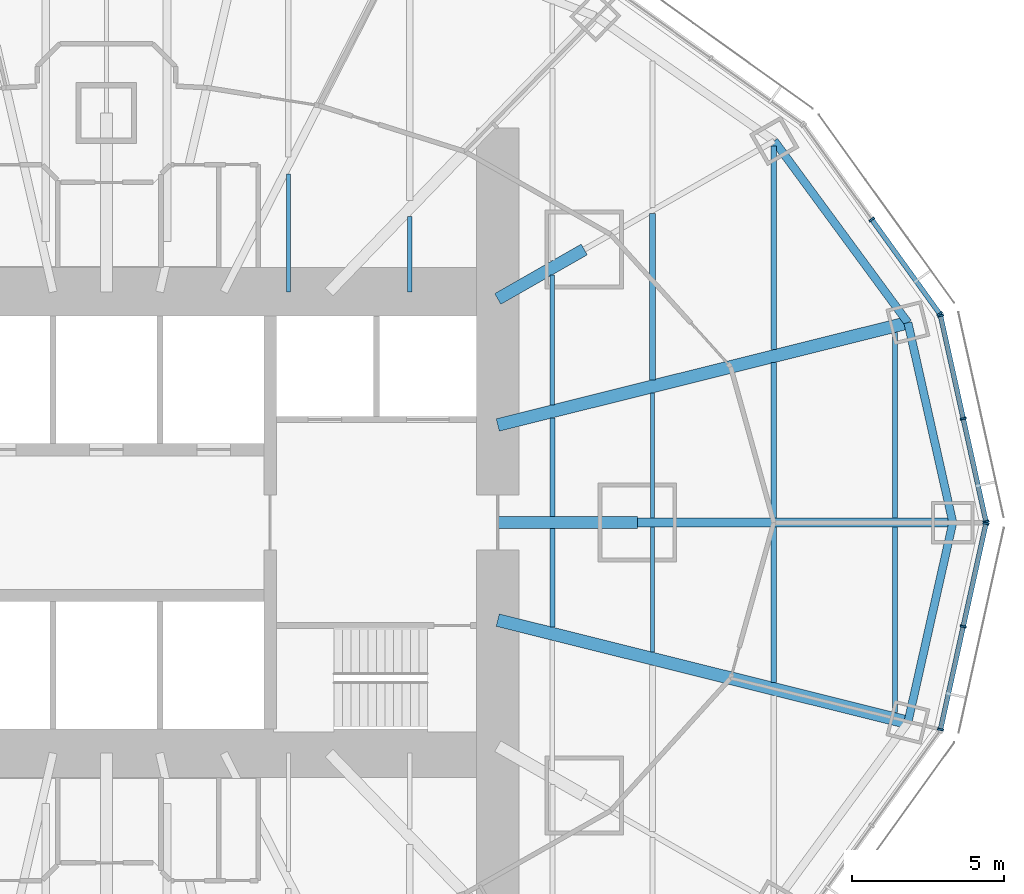
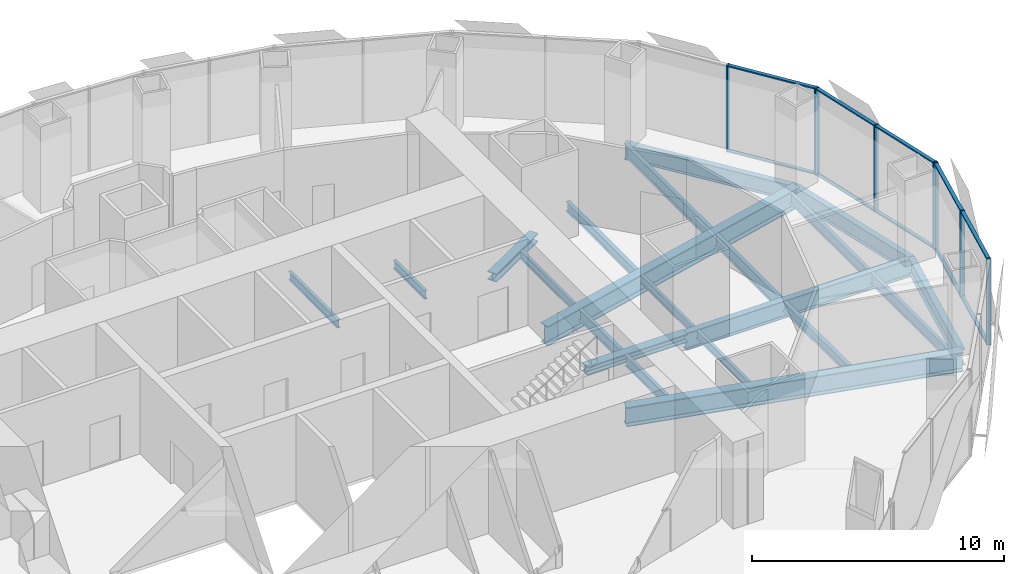
# One storey, part 6 of 18: 21 beams, 18 members, 3 elements without a shape of their own.
"""IFC4 building model written with IfcOpenShell, lengths in metres."""

from ifc_helpers import new_model, si_unit, direction, frame, origin, origin_2d, place, context, subcontext, project, spatial, rectangle, i_section, extrude, material, material_profile, profile_set, type_object, element, aggregate, save


model = new_model("IFC4")

# Units and contexts
model_context = context("Model", 3, precision=1e-05, world=origin(), true_north=direction((0.0, 1.0)))
body_context = subcontext(model_context, "Body", "Model", "MODEL_VIEW")
ifc_project = project(units=[si_unit("LENGTHUNIT", "METRE"), si_unit("AREAUNIT", "SQUARE_METRE"), si_unit("VOLUMEUNIT", "CUBIC_METRE"), si_unit("PLANEANGLEUNIT", "RADIAN"), si_unit("MASSUNIT", "GRAM", prefix="KILO")], contexts=[model_context])

# Site, building, storey
site_placement = place(None, origin())
site = spatial("IfcSite", under=ifc_project, at=site_placement, CompositionType="ELEMENT")
building_placement = place(site_placement, origin())
building = spatial("IfcBuilding", under=site, at=building_placement, Name="Lantaw Convention Tower", CompositionType="ELEMENT")
storey_placement = place(building_placement, frame((0.0, 0.0, 172.0)))
storey = spatial("IfcBuildingStorey", under=building, at=storey_placement, Name="L40", CompositionType="ELEMENT", Elevation=172.0)

# Beams
ifc_material_1 = material(Name="Steel ASTM A992", Category="steel")
ifc_material_profile_1 = material_profile(ifc_material_1, i_section(OverallWidth=0.2666015625, OverallDepth=0.76953125, WebThickness=0.015625, FlangeThickness=0.025390625, FilletRadius=0.0126953125, at=origin_2d()), Name="W30X132")
ifc_profile_set_1 = profile_set([ifc_material_profile_1], Name="Steel ASTM A992")
beam_type_1 = type_object("IfcBeamType", Name="Beam E W30X132", PredefinedType="SPANDREL", material=ifc_profile_set_1)
beam_1_placement = place(storey_placement, frame((27.89990234375, 0.0, -0.534912109375), z_axis=(-0.219211877447, 0.975677279015, 0.0), x_axis=(-0.975677279015, -0.219211877447, 0.0)))
element("IfcBeam", 1, at=beam_1_placement, inside=storey, type_object=beam_type_1, Name="Edge beam 1", PredefinedType="SPANDREL", context=body_context, shape_type="SweptSolid", body=[
    extrude(i_section(OverallWidth=0.2666015625, OverallDepth=0.76953125, WebThickness=0.015625, FlangeThickness=0.025390625, FilletRadius=0.0126953125, at=origin_2d()), origin(), (0.0, 0.0, 1.0), 6.75146484375),
])
beam_2_placement = place(storey_placement, frame((26.419921875, 6.587158203125, -0.534912109375), z_axis=(-0.5923891972, 0.805651934176, 0.0), x_axis=(-0.805651934176, -0.5923891972, 0.0)))
element("IfcBeam", 2, at=beam_2_placement, inside=storey, type_object=beam_type_1, Name="Edge beam 2", PredefinedType="SPANDREL", context=body_context, shape_type="SweptSolid", body=[
    extrude(i_section(OverallWidth=0.2666015625, OverallDepth=0.76953125, WebThickness=0.015625, FlangeThickness=0.025390625, FilletRadius=0.0126953125, at=origin_2d()), origin(), (0.0, 0.0, 1.0), 7.437744140625),
])
beam_3_placement = place(storey_placement, frame((26.419921875, -6.587158203125, -0.534912109375), z_axis=(0.219211877447, 0.975677279015, 0.0), x_axis=(-0.975677279015, 0.219211877447, 0.0)))
element("IfcBeam", 3, at=beam_3_placement, inside=storey, type_object=beam_type_1, Name="Edge beam 24", PredefinedType="SPANDREL", context=body_context, shape_type="SweptSolid", body=[
    extrude(i_section(OverallWidth=0.2666015625, OverallDepth=0.76953125, WebThickness=0.015625, FlangeThickness=0.025390625, FilletRadius=0.0126953125, at=origin_2d()), origin(), (0.0, 0.0, 1.0), 6.75146484375),
])
ifc_material_profile_2 = material_profile(ifc_material_1, i_section(OverallWidth=0.2919921875, OverallDepth=0.845703125, WebThickness=0.015380859375, FlangeThickness=0.0244140625, FilletRadius=0.01513671875, at=origin_2d()), Name="W33X141")
ifc_profile_set_2 = profile_set([ifc_material_profile_2], Name="Steel ASTM A992")
beam_type_2 = type_object("IfcBeamType", Name="Beam G W33X141", PredefinedType="BEAM", material=ifc_profile_set_2)
beam_4_placement = place(storey_placement, frame((17.5, 0.0, -0.572998046875), z_axis=(1.0, 0.0, 0.0), x_axis=(0.0, 1.0, 0.0)))
element("IfcBeam", 4, at=beam_4_placement, inside=storey, type_object=beam_type_2, Name="Floor girder on ray 1", PredefinedType="BEAM", context=body_context, shape_type="SweptSolid", body=[
    extrude(i_section(OverallWidth=0.2919921875, OverallDepth=0.845703125, WebThickness=0.015380859375, FlangeThickness=0.0244140625, FilletRadius=0.01513671875, at=origin_2d()), origin(), (0.0, 0.0, 1.0), 10.39990234375),
])
ifc_material_profile_3 = material_profile(ifc_material_1, i_section(OverallWidth=0.421630859375, OverallDepth=0.937255859375, WebThickness=0.0224609375, FlangeThickness=0.039794921875, FilletRadius=0.02001953125, at=origin_2d()), Name="W36X282")
ifc_profile_set_3 = profile_set([ifc_material_profile_3], Name="Steel ASTM A992")
beam_type_3 = type_object("IfcBeamType", Name="Beam G W36X282", PredefinedType="BEAM", material=ifc_profile_set_3)
for number, where, z_axis, x_axis, name in (
    (5, (12.89990234375, 3.21630859375, -0.61865234375), (0.970296903132, 0.24191717544, 0.0), (-0.24191717544, 0.970296903132, 0.0), "Floor girder on ray 2"),
    (6, (12.89990234375, -3.21630859375, -0.61865234375), (0.970296903132, -0.24191717544, 0.0), (0.24191717544, 0.970296903132, 0.0), "Floor girder on ray 24"),
):
    element("IfcBeam", number, at=place(storey_placement, frame(where, z_axis=z_axis, x_axis=x_axis)), inside=storey, type_object=beam_type_3, Name=name, PredefinedType="BEAM", context=body_context, shape_type="SweptSolid", body=[
        extrude(i_section(OverallWidth=0.421630859375, OverallDepth=0.937255859375, WebThickness=0.0224609375, FlangeThickness=0.039794921875, FilletRadius=0.02001953125, at=origin_2d()), origin(), (0.0, 0.0, 1.0), 13.933837890625),
    ])
ifc_material_profile_4 = material_profile(ifc_material_1, i_section(OverallWidth=0.40380859375, OverallDepth=0.406494140625, WebThickness=0.027099609375, FlangeThickness=0.043701171875, FilletRadius=0.01513671875, at=origin_2d()), Name="W14X233")
ifc_profile_set_4 = profile_set([ifc_material_profile_4], Name="Steel ASTM A992")
beam_type_4 = type_object("IfcBeamType", Name="Beam GM W14X233", PredefinedType="BEAM", material=ifc_profile_set_4)
beam_5_placement = place(storey_placement, frame((12.89990234375, 0.0, -0.353271484375), z_axis=(1.0, 0.0, 0.0), x_axis=(0.0, 1.0, 0.0)))
element("IfcBeam", 7, at=beam_5_placement, inside=storey, type_object=beam_type_4, Name="Core link beam on ray 1", PredefinedType="BEAM", context=body_context, shape_type="SweptSolid", body=[
    extrude(i_section(OverallWidth=0.40380859375, OverallDepth=0.406494140625, WebThickness=0.027099609375, FlangeThickness=0.043701171875, FilletRadius=0.01513671875, at=origin_2d()), origin(), (0.0, 0.0, 1.0), 4.60009765625),
])
beam_6_placement = place(storey_placement, frame((12.89990234375, 7.371337890625, -0.353271484375), z_axis=(0.868238565244, 0.496146947811, 0.0), x_axis=(-0.496146947811, 0.868238565244, 0.0)))
element("IfcBeam", 8, at=beam_6_placement, inside=storey, type_object=beam_type_4, Name="Core link beam on ray 3", PredefinedType="BEAM", context=body_context, shape_type="SweptSolid", body=[
    extrude(i_section(OverallWidth=0.40380859375, OverallDepth=0.406494140625, WebThickness=0.027099609375, FlangeThickness=0.043701171875, FilletRadius=0.01513671875, at=origin_2d()), origin(), (0.0, 0.0, 1.0), 3.28271484375),
])
ifc_material_profile_5 = material_profile(ifc_material_1, i_section(OverallWidth=0.140380859375, OverallDepth=0.40380859375, WebThickness=0.007080078125, FlangeThickness=0.01123046875, FilletRadius=0.01025390625, at=origin_2d()), Name="W16X31")
ifc_profile_set_5 = profile_set([ifc_material_profile_5], Name="Steel ASTM A992")
beam_type_5 = type_object("IfcBeamType", Name="Beam J W16X31", PredefinedType="JOIST", material=ifc_profile_set_5)
beam_7_placement = place(storey_placement, frame((6.0, 7.60009765625, -0.35205078125), z_axis=(0.0, 1.0, 0.0), x_axis=(-1.0, 0.0, 0.0)))
element("IfcBeam", 9, at=beam_7_placement, inside=storey, type_object=beam_type_5, Name="Floor joist", PredefinedType="JOIST", context=body_context, shape_type="SweptSolid", body=[
    extrude(i_section(OverallWidth=0.140380859375, OverallDepth=0.40380859375, WebThickness=0.007080078125, FlangeThickness=0.01123046875, FilletRadius=0.01025390625, at=origin_2d()), origin(), (0.0, 0.0, 1.0), 3.895751953125),
])
beam_8_placement = place(storey_placement, frame((10.0, 7.60009765625, -0.35205078125), z_axis=(0.0, 1.0, 0.0), x_axis=(-1.0, 0.0, 0.0)))
element("IfcBeam", 10, at=beam_8_placement, inside=storey, type_object=beam_type_5, Name="Floor joist", PredefinedType="JOIST", context=body_context, shape_type="SweptSolid", body=[
    extrude(i_section(OverallWidth=0.140380859375, OverallDepth=0.40380859375, WebThickness=0.007080078125, FlangeThickness=0.01123046875, FilletRadius=0.01025390625, at=origin_2d()), origin(), (0.0, 0.0, 1.0), 2.49560546875),
])
beam_9_placement = place(storey_placement, frame((14.699951171875, 3.88232421875, -0.35205078125), z_axis=(0.0, 1.0, 0.0), x_axis=(-1.0, 0.0, 0.0)))
element("IfcBeam", 11, at=beam_9_placement, inside=storey, type_object=beam_type_5, Name="Floor joist", PredefinedType="JOIST", context=body_context, shape_type="SweptSolid", body=[
    extrude(i_section(OverallWidth=0.140380859375, OverallDepth=0.40380859375, WebThickness=0.007080078125, FlangeThickness=0.01123046875, FilletRadius=0.01025390625, at=origin_2d()), origin(), (0.0, 0.0, 1.0), 4.28515625),
])
for number, where, z_axis, x_axis, name in (
    (12, (18.0, -4.270751953125, -0.35205078125), (0.0, 1.0, 0.0), (-1.0, 0.0, 0.0), "Floor joist"),
    (13, (18.0, 0.14599609375, -0.35205078125), (0.0, 1.0, 0.0), (-1.0, 0.0, 0.0), "Floor joist"),
):
    element("IfcBeam", number, at=place(storey_placement, frame(where, z_axis=z_axis, x_axis=x_axis)), inside=storey, type_object=beam_type_5, Name=name, PredefinedType="JOIST", context=body_context, shape_type="SweptSolid", body=[
        extrude(i_section(OverallWidth=0.140380859375, OverallDepth=0.40380859375, WebThickness=0.007080078125, FlangeThickness=0.01123046875, FilletRadius=0.01025390625, at=origin_2d()), origin(), (0.0, 0.0, 1.0), 4.124755859375),
    ])
ifc_material_profile_6 = material_profile(ifc_material_1, i_section(OverallWidth=0.1904296875, OverallDepth=0.457275390625, WebThickness=0.009033203125, FlangeThickness=0.014404296875, FilletRadius=0.01025390625, at=origin_2d()), Name="W18X50")
ifc_profile_set_6 = profile_set([ifc_material_profile_6], Name="Steel ASTM A992")
beam_type_6 = type_object("IfcBeamType", Name="Beam J W18X50", PredefinedType="JOIST", material=ifc_profile_set_6)
beam_10_placement = place(storey_placement, frame((18.0, 4.705078125, -0.378662109375), z_axis=(0.0, 1.0, 0.0), x_axis=(-1.0, 0.0, 0.0)))
element("IfcBeam", 14, at=beam_10_placement, inside=storey, type_object=beam_type_6, Name="Floor joist", PredefinedType="JOIST", context=body_context, shape_type="SweptSolid", body=[
    extrude(i_section(OverallWidth=0.1904296875, OverallDepth=0.457275390625, WebThickness=0.009033203125, FlangeThickness=0.014404296875, FilletRadius=0.01025390625, at=origin_2d()), origin(), (0.0, 0.0, 1.0), 5.47802734375),
])
beam_11_placement = place(storey_placement, frame((22.0, -5.267822265625, -0.378662109375), z_axis=(0.0, 1.0, 0.0), x_axis=(-1.0, 0.0, 0.0)))
element("IfcBeam", 15, at=beam_11_placement, inside=storey, type_object=beam_type_6, Name="Floor joist", PredefinedType="JOIST", context=body_context, shape_type="SweptSolid", body=[
    extrude(i_section(OverallWidth=0.1904296875, OverallDepth=0.457275390625, WebThickness=0.009033203125, FlangeThickness=0.014404296875, FilletRadius=0.01025390625, at=origin_2d()), origin(), (0.0, 0.0, 1.0), 5.121826171875),
])
ifc_material_profile_7 = material_profile(ifc_material_1, i_section(OverallWidth=0.1650390625, OverallDepth=0.52587890625, WebThickness=0.0087890625, FlangeThickness=0.011474609375, FilletRadius=0.0126953125, at=origin_2d()), Name="W21X44")
ifc_profile_set_7 = profile_set([ifc_material_profile_7], Name="Steel ASTM A992")
beam_type_7 = type_object("IfcBeamType", Name="Beam J W21X44", PredefinedType="JOIST", material=ifc_profile_set_7)
for number, where, z_axis, x_axis, name in (
    (16, (26.0, -6.26513671875, -0.412841796875), (0.0, 1.0, 0.0), (-1.0, 0.0, 0.0), "Floor joist"),
    (17, (26.0, 0.14599609375, -0.412841796875), (0.0, 1.0, 0.0), (-1.0, 0.0, 0.0), "Floor joist"),
):
    element("IfcBeam", number, at=place(storey_placement, frame(where, z_axis=z_axis, x_axis=x_axis)), inside=storey, type_object=beam_type_7, Name=name, PredefinedType="JOIST", context=body_context, shape_type="SweptSolid", body=[
        extrude(i_section(OverallWidth=0.1650390625, OverallDepth=0.52587890625, WebThickness=0.0087890625, FlangeThickness=0.011474609375, FilletRadius=0.0126953125, at=origin_2d()), origin(), (0.0, 0.0, 1.0), 6.119140625),
    ])
ifc_material_profile_8 = material_profile(ifc_material_1, i_section(OverallWidth=0.165771484375, OverallDepth=0.5283203125, WebThickness=0.009765625, FlangeThickness=0.013671875, FilletRadius=0.012939453125, at=origin_2d()), Name="W21X50")
ifc_profile_set_8 = profile_set([ifc_material_profile_8], Name="Steel ASTM A992")
beam_type_8 = type_object("IfcBeamType", Name="Beam J W21X50", PredefinedType="JOIST", material=ifc_profile_set_8)
for number, where, z_axis, x_axis, name in (
    (18, (14.699951171875, -3.44775390625, -0.4140625), (0.0, 1.0, 0.0), (-1.0, 0.0, 0.0), "Floor joist"),
    (19, (14.699951171875, 0.201904296875, -0.4140625), (0.0, 1.0, 0.0), (-1.0, 0.0, 0.0), "Floor joist"),
):
    element("IfcBeam", number, at=place(storey_placement, frame(where, z_axis=z_axis, x_axis=x_axis)), inside=storey, type_object=beam_type_8, Name=name, PredefinedType="JOIST", context=body_context, shape_type="SweptSolid", body=[
        extrude(i_section(OverallWidth=0.165771484375, OverallDepth=0.5283203125, WebThickness=0.009765625, FlangeThickness=0.013671875, FilletRadius=0.012939453125, at=origin_2d()), origin(), (0.0, 0.0, 1.0), 3.245849609375),
    ])
ifc_material_profile_9 = material_profile(ifc_material_1, i_section(OverallWidth=0.177978515625, OverallDepth=0.599365234375, WebThickness=0.010009765625, FlangeThickness=0.012939453125, FilletRadius=0.012939453125, at=origin_2d()), Name="W24X55")
ifc_profile_set_9 = profile_set([ifc_material_profile_9], Name="Steel ASTM A992")
beam_type_9 = type_object("IfcBeamType", Name="Beam J W24X55", PredefinedType="JOIST", material=ifc_profile_set_9)
beam_12_placement = place(storey_placement, frame((22.0, 0.14599609375, -0.44970703125), z_axis=(0.0, 1.0, 0.0), x_axis=(-1.0, 0.0, 0.0)))
element("IfcBeam", 20, at=beam_12_placement, inside=storey, type_object=beam_type_9, Name="Floor joist", PredefinedType="JOIST", context=body_context, shape_type="SweptSolid", body=[
    extrude(i_section(OverallWidth=0.177978515625, OverallDepth=0.599365234375, WebThickness=0.010009765625, FlangeThickness=0.012939453125, FilletRadius=0.012939453125, at=origin_2d()), origin(), (0.0, 0.0, 1.0), 5.121826171875),
])
beam_13_placement = place(storey_placement, frame((22.0, 5.702392578125, -0.44970703125), z_axis=(0.0, 1.0, 0.0), x_axis=(-1.0, 0.0, 0.0)))
element("IfcBeam", 21, at=beam_13_placement, inside=storey, type_object=beam_type_9, Name="Floor joist", PredefinedType="JOIST", context=body_context, shape_type="SweptSolid", body=[
    extrude(i_section(OverallWidth=0.177978515625, OverallDepth=0.599365234375, WebThickness=0.010009765625, FlangeThickness=0.012939453125, FilletRadius=0.012939453125, at=origin_2d()), origin(), (0.0, 0.0, 1.0), 6.70654296875),
])

# Curtain wall, members
ifc_material_2 = material(Name="Aluminium framed curtain wall", Category="aluminium")
curtain_wall_type = type_object("IfcCurtainWallType", Name="Office curtain wall low rise, pale aluminium", PredefinedType="USERDEFINED", material=ifc_material_2)
curtain_wall_1_placement = place(storey_placement, origin())
curtain_wall_1 = element("IfcCurtainWall", 22, at=curtain_wall_1_placement, inside=storey, type_object=curtain_wall_type, Name="Office curtain wall low rise, pale aluminium L40", ObjectType="UNITISED CURTAIN WALL", PredefinedType="USERDEFINED")
ifc_material_3 = material(Name="Aluminium 6063-T6", Category="aluminium")
ifc_material_profile_10 = material_profile(ifc_material_3, rectangle(XDim=0.199951171875, YDim=0.06494140625, at=origin_2d()), Name="CW-O1 mullion 65x200")
ifc_profile_set_10 = profile_set([ifc_material_profile_10], Name="Aluminium 6063-T6")
member_type_1 = type_object("IfcMemberType", Name="CW-O1 mullion 65x200", PredefinedType="MULLION", material=ifc_profile_set_10)
member_1_placement = place(storey_placement, frame((28.992919921875, 0.03173828125, -0.14990234375), z_axis=(0.0, 0.0, 1.0), x_axis=(-0.9764936509, -0.215546166174, 0.0)))
member_1 = element("IfcMember", 23, at=member_1_placement, type_object=member_type_1, Name="CW-O1 mullion 1", PredefinedType="MULLION", context=body_context, shape_type="SweptSolid", body=[
    extrude(rectangle(XDim=0.199951171875, YDim=0.06494140625, at=origin_2d()), origin(), (0.0, 0.0, 1.0), 4.199951171875),
])
member_2_placement = place(storey_placement, frame((28.24365234375, 3.4267578125, -0.14990234375), z_axis=(0.0, 0.0, 1.0), x_axis=(-0.9764936509, -0.215546166174, 0.0)))
member_2 = element("IfcMember", 24, at=member_2_placement, type_object=member_type_1, Name="CW-O1 mullion 2", PredefinedType="MULLION", context=body_context, shape_type="SweptSolid", body=[
    extrude(rectangle(XDim=0.199951171875, YDim=0.06494140625, at=origin_2d()), origin(), (0.0, 0.0, 1.0), 4.199951171875),
])
member_3_placement = place(storey_placement, frame((27.494140625, 6.821533203125, -0.14990234375), z_axis=(0.0, 0.0, 1.0), x_axis=(-0.9764936509, -0.215546166174, 0.0)))
member_3 = element("IfcMember", 25, at=member_3_placement, type_object=member_type_1, Name="CW-O1 mullion 3", PredefinedType="MULLION", context=body_context, shape_type="SweptSolid", body=[
    extrude(rectangle(XDim=0.199951171875, YDim=0.06494140625, at=origin_2d()), origin(), (0.0, 0.0, 1.0), 4.199951171875),
])

curtain_wall_2_placement = place(storey_placement, origin())
curtain_wall_2 = element("IfcCurtainWall", 26, at=curtain_wall_2_placement, inside=storey, type_object=curtain_wall_type, Name="Office curtain wall low rise, pale aluminium L40", ObjectType="UNITISED CURTAIN WALL", PredefinedType="USERDEFINED")
member_4_placement = place(storey_placement, frame((27.46826171875, 6.879638671875, -0.14990234375), z_axis=(0.0, 0.0, 1.0), x_axis=(-0.811384633629, -0.584512597221, 0.0)))
member_4 = element("IfcMember", 27, at=member_4_placement, type_object=member_type_1, Name="CW-O1 mullion 1", PredefinedType="MULLION", context=body_context, shape_type="SweptSolid", body=[
    extrude(rectangle(XDim=0.199951171875, YDim=0.06494140625, at=origin_2d()), origin(), (0.0, 0.0, 1.0), 4.199951171875),
])
member_5_placement = place(storey_placement, frame((25.22802734375, 9.9892578125, -0.14990234375), z_axis=(0.0, 0.0, 1.0), x_axis=(-0.811384633629, -0.584512597221, 0.0)))
member_5 = element("IfcMember", 28, at=member_5_placement, type_object=member_type_1, Name="CW-O1 mullion 2", PredefinedType="MULLION", context=body_context, shape_type="SweptSolid", body=[
    extrude(rectangle(XDim=0.199951171875, YDim=0.06494140625, at=origin_2d()), origin(), (0.0, 0.0, 1.0), 4.199951171875),
])

curtain_wall_3_placement = place(storey_placement, origin())
curtain_wall_3 = element("IfcCurtainWall", 29, at=curtain_wall_3_placement, inside=storey, type_object=curtain_wall_type, Name="Office curtain wall low rise, pale aluminium L40", ObjectType="UNITISED CURTAIN WALL", PredefinedType="USERDEFINED")
member_6_placement = place(storey_placement, frame((27.494140625, -6.821533203125, -0.14990234375), z_axis=(0.0, 0.0, 1.0), x_axis=(-0.9764936509, 0.215546166174, 0.0)))
member_6 = element("IfcMember", 30, at=member_6_placement, type_object=member_type_1, Name="CW-O1 mullion 1", PredefinedType="MULLION", context=body_context, shape_type="SweptSolid", body=[
    extrude(rectangle(XDim=0.199951171875, YDim=0.06494140625, at=origin_2d()), origin(), (0.0, 0.0, 1.0), 4.199951171875),
])
member_7_placement = place(storey_placement, frame((28.24365234375, -3.4267578125, -0.14990234375), z_axis=(0.0, 0.0, 1.0), x_axis=(-0.9764936509, 0.215546166174, 0.0)))
member_7 = element("IfcMember", 31, at=member_7_placement, type_object=member_type_1, Name="CW-O1 mullion 2", PredefinedType="MULLION", context=body_context, shape_type="SweptSolid", body=[
    extrude(rectangle(XDim=0.199951171875, YDim=0.06494140625, at=origin_2d()), origin(), (0.0, 0.0, 1.0), 4.199951171875),
])
member_8_placement = place(storey_placement, frame((28.992919921875, -0.03173828125, -0.14990234375), z_axis=(0.0, 0.0, 1.0), x_axis=(-0.9764936509, 0.215546166174, 0.0)))
member_8 = element("IfcMember", 32, at=member_8_placement, type_object=member_type_1, Name="CW-O1 mullion 3", PredefinedType="MULLION", context=body_context, shape_type="SweptSolid", body=[
    extrude(rectangle(XDim=0.199951171875, YDim=0.06494140625, at=origin_2d()), origin(), (0.0, 0.0, 1.0), 4.199951171875),
])

# Member
ifc_material_profile_11 = material_profile(ifc_material_3, rectangle(XDim=0.159912109375, YDim=0.06494140625, at=origin_2d()), Name="CW-O1 transom 65x160")
ifc_profile_set_11 = profile_set([ifc_material_profile_11], Name="Aluminium 6063-T6")
member_type_2 = type_object("IfcMemberType", Name="CW-O1 transom 65x160", PredefinedType="USERDEFINED", material=ifc_profile_set_11)
member_9_placement = place(storey_placement, frame((28.986083984375, 0.0634765625, -0.117431640625), z_axis=(-0.215536096386, 0.976495873598, 0.0), x_axis=(-0.976495873598, -0.215536096386, 0.0)))
member_9 = element("IfcMember", 33, at=member_9_placement, type_object=member_type_2, Name="CW-O1 transom 1.1", ObjectType="TRANSOM", PredefinedType="USERDEFINED", context=body_context, shape_type="SweptSolid", body=[
    extrude(rectangle(XDim=0.159912109375, YDim=0.06494140625, at=origin_2d()), origin(), (0.0, 0.0, 1.0), 3.41162109375),
])

member_10_placement = place(storey_placement, frame((28.986083984375, 0.0634765625, 4.017578125), z_axis=(-0.215536096386, 0.976495873598, 0.0), x_axis=(-0.976495873598, -0.215536096386, 0.0)))
member_10 = element("IfcMember", 34, at=member_10_placement, type_object=member_type_2, Name="CW-O1 transom 1.2", ObjectType="TRANSOM", PredefinedType="USERDEFINED", context=body_context, shape_type="SweptSolid", body=[
    extrude(rectangle(XDim=0.159912109375, YDim=0.06494140625, at=origin_2d()), origin(), (0.0, 0.0, 1.0), 3.41162109375),
])

member_11_placement = place(storey_placement, frame((28.236572265625, 3.45849609375, -0.117431640625), z_axis=(-0.21555115847, 0.976492548913, 0.0), x_axis=(-0.976492548913, -0.21555115847, 0.0)))
member_11 = element("IfcMember", 35, at=member_11_placement, type_object=member_type_2, Name="CW-O1 transom 2.1", ObjectType="TRANSOM", PredefinedType="USERDEFINED", context=body_context, shape_type="SweptSolid", body=[
    extrude(rectangle(XDim=0.159912109375, YDim=0.06494140625, at=origin_2d()), origin(), (0.0, 0.0, 1.0), 3.411376953125),
])

member_12_placement = place(storey_placement, frame((28.236572265625, 3.45849609375, 4.017578125), z_axis=(-0.21555115847, 0.976492548913, 0.0), x_axis=(-0.976492548913, -0.21555115847, 0.0)))
member_12 = element("IfcMember", 36, at=member_12_placement, type_object=member_type_2, Name="CW-O1 transom 2.2", ObjectType="TRANSOM", PredefinedType="USERDEFINED", context=body_context, shape_type="SweptSolid", body=[
    extrude(rectangle(XDim=0.159912109375, YDim=0.06494140625, at=origin_2d()), origin(), (0.0, 0.0, 1.0), 3.411376953125),
])

aggregate(curtain_wall_1, [member_1, member_2, member_3, member_9, member_10, member_11, member_12])

member_13_placement = place(storey_placement, frame((27.44921875, 6.906005859375, -0.117431640625), z_axis=(-0.584512973979, 0.811384362217, 0.0), x_axis=(-0.811384362217, -0.584512973979, 0.0)))
member_13 = element("IfcMember", 37, at=member_13_placement, type_object=member_type_2, Name="CW-O1 transom 1.1", ObjectType="TRANSOM", PredefinedType="USERDEFINED", context=body_context, shape_type="SweptSolid", body=[
    extrude(rectangle(XDim=0.159912109375, YDim=0.06494140625, at=origin_2d()), origin(), (0.0, 0.0, 1.0), 3.767578125),
])

member_14_placement = place(storey_placement, frame((27.44921875, 6.906005859375, 4.017578125), z_axis=(-0.584512973979, 0.811384362217, 0.0), x_axis=(-0.811384362217, -0.584512973979, 0.0)))
member_14 = element("IfcMember", 38, at=member_14_placement, type_object=member_type_2, Name="CW-O1 transom 1.2", ObjectType="TRANSOM", PredefinedType="USERDEFINED", context=body_context, shape_type="SweptSolid", body=[
    extrude(rectangle(XDim=0.159912109375, YDim=0.06494140625, at=origin_2d()), origin(), (0.0, 0.0, 1.0), 3.767578125),
])

aggregate(curtain_wall_2, [member_4, member_5, member_13, member_14])

member_15_placement = place(storey_placement, frame((27.501220703125, -6.789794921875, -0.117431640625), z_axis=(0.21555115847, 0.976492548913, 0.0), x_axis=(-0.976492548913, 0.21555115847, 0.0)))
member_15 = element("IfcMember", 39, at=member_15_placement, type_object=member_type_2, Name="CW-O1 transom 1.1", ObjectType="TRANSOM", PredefinedType="USERDEFINED", context=body_context, shape_type="SweptSolid", body=[
    extrude(rectangle(XDim=0.159912109375, YDim=0.06494140625, at=origin_2d()), origin(), (0.0, 0.0, 1.0), 3.411376953125),
])

member_16_placement = place(storey_placement, frame((27.501220703125, -6.789794921875, 4.017578125), z_axis=(0.21555115847, 0.976492548913, 0.0), x_axis=(-0.976492548913, 0.21555115847, 0.0)))
member_16 = element("IfcMember", 40, at=member_16_placement, type_object=member_type_2, Name="CW-O1 transom 1.2", ObjectType="TRANSOM", PredefinedType="USERDEFINED", context=body_context, shape_type="SweptSolid", body=[
    extrude(rectangle(XDim=0.159912109375, YDim=0.06494140625, at=origin_2d()), origin(), (0.0, 0.0, 1.0), 3.411376953125),
])

member_17_placement = place(storey_placement, frame((28.250732421875, -3.39501953125, -0.117431640625), z_axis=(0.215536096386, 0.976495873598, 0.0), x_axis=(-0.976495873598, 0.215536096386, 0.0)))
member_17 = element("IfcMember", 41, at=member_17_placement, type_object=member_type_2, Name="CW-O1 transom 2.1", ObjectType="TRANSOM", PredefinedType="USERDEFINED", context=body_context, shape_type="SweptSolid", body=[
    extrude(rectangle(XDim=0.159912109375, YDim=0.06494140625, at=origin_2d()), origin(), (0.0, 0.0, 1.0), 3.41162109375),
])

member_18_placement = place(storey_placement, frame((28.250732421875, -3.39501953125, 4.017578125), z_axis=(0.215536096386, 0.976495873598, 0.0), x_axis=(-0.976495873598, 0.215536096386, 0.0)))
member_18 = element("IfcMember", 42, at=member_18_placement, type_object=member_type_2, Name="CW-O1 transom 2.2", ObjectType="TRANSOM", PredefinedType="USERDEFINED", context=body_context, shape_type="SweptSolid", body=[
    extrude(rectangle(XDim=0.159912109375, YDim=0.06494140625, at=origin_2d()), origin(), (0.0, 0.0, 1.0), 3.41162109375),
])

aggregate(curtain_wall_3, [member_6, member_7, member_8, member_15, member_16, member_17, member_18])

save(model, "model.ifc")
